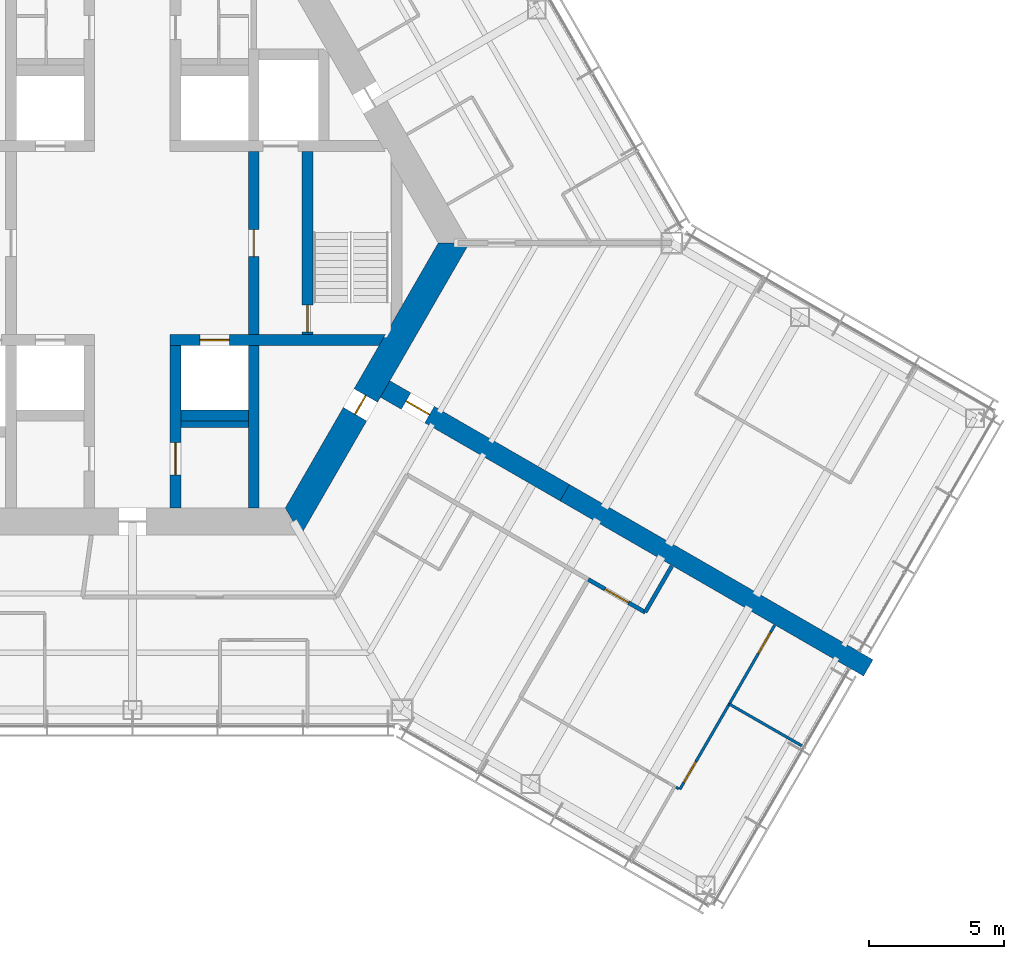
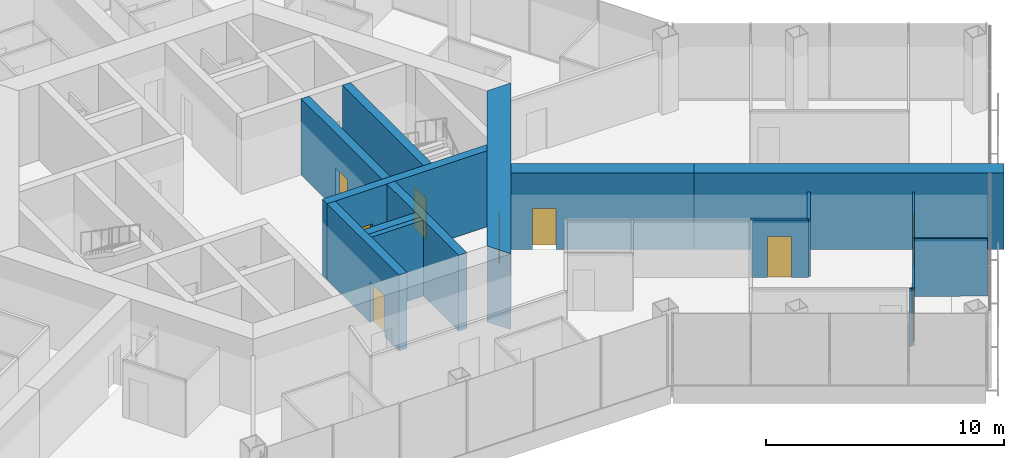
# One storey, part 14 of 19: 16 walls, 9 doors, 9 openings.
"""IFC4 building model written with IfcOpenShell, lengths in metres."""

from ifc_helpers import new_model, si_unit, direction, frame, frame_2d, origin, place, context, subcontext, project, spatial, polyline, rectangle, outline, extrude, material, layer, layer_set, type_object, element, fill, save


model = new_model("IFC4")

# Units and contexts
model_context = context("Model", 3, precision=1e-05, world=origin(), true_north=direction((0.0, 1.0)))
body_context = subcontext(model_context, "Body", "Model", "MODEL_VIEW")
ifc_project = project(units=[si_unit("LENGTHUNIT", "METRE"), si_unit("AREAUNIT", "SQUARE_METRE"), si_unit("VOLUMEUNIT", "CUBIC_METRE"), si_unit("PLANEANGLEUNIT", "RADIAN"), si_unit("MASSUNIT", "GRAM", prefix="KILO")], contexts=[model_context])

# Site, building, storey
site_placement = place(None, origin())
site = spatial("IfcSite", under=ifc_project, at=site_placement, CompositionType="ELEMENT")
building_placement = place(site_placement, origin())
building = spatial("IfcBuilding", under=site, at=building_placement, Name="Kasaneha Research Tower", CompositionType="ELEMENT")
storey_placement = place(building_placement, frame((0.0, 0.0, 160.39990234375)))
storey = spatial("IfcBuildingStorey", under=building, at=storey_placement, Name="L40", CompositionType="ELEMENT", Elevation=160.39990234375)

# Wall, opening, door
ifc_material_1 = material(Name="Concrete Fc70", Category="concrete")
ifc_layer_1 = layer(ifc_material_1, 0.39990234375)
ifc_layer_set_1 = layer_set([ifc_layer_1], Name="Core internal wall 400 Fc70")
wall_type_1 = type_object("IfcWallType", Name="Core internal wall 400 Fc70", PredefinedType="SHEAR", material=ifc_layer_set_1)
wall_1_placement = place(storey_placement, frame((1.39990234375, -3.60009765625, 0.0), z_axis=(0.0, 0.0, 1.0), x_axis=(1.0, 0.0, 0.0)))
wall_1 = element("IfcWall", 1, at=wall_1_placement, inside=storey, type_object=wall_type_1, Name="Core wall W2E L40", PredefinedType="SHEAR", context=body_context, shape_type="SweptSolid", body=[
    extrude(outline(polyline([(0.0, -0.199951171875), (1.10009765625, -0.199951171875), (2.2001953125, -0.199951171875), (7.7509765625, -0.199951171875), (7.98193359375, 0.199951171875), (2.2001953125, 0.199951171875), (1.10009765625, 0.199951171875), (0.0, 0.199951171875), (0.0, -0.199951171875)])), origin(), (0.0, 0.0, 1.0), 3.900146484375),
])
opening_1_placement = place(wall_1_placement, frame((1.10009765625, 0.0, 0.0)))
opening_1 = element("IfcOpeningElement", 2, at=opening_1_placement, cuts=wall_1, Name="Opening LD-LM2-L40", PredefinedType="OPENING", context=body_context, shape_type="SweptSolid", body=[
    extrude(rectangle(XDim=1.10009765625, YDim=2.10009765625, at=frame_2d((0.550048828125, 1.050048828125))), frame((0.0, 0.2099609375, 0.0), z_axis=(0.0, -1.0, 0.0), x_axis=(1.0, 0.0, 0.0)), (0.0, 0.0, 1.0), 0.419921875),
])
ifc_material_2 = material(Name="Steel", Category="steel")
door_type_1 = type_object("IfcDoorType", Name="Lift landing door 1100x2100", OperationType="DOUBLE_DOOR_SLIDING", PredefinedType="DOOR", material=ifc_material_2)
door_1_placement = place(opening_1_placement, origin())
door_1 = element("IfcDoor", 3, at=door_1_placement, inside=storey, type_object=door_type_1, Name="Landing door LM2 LD-LM2-L40", OperationType="DOUBLE_DOOR_SLIDING", OverallHeight=2.10009765625, OverallWidth=1.10009765625, PredefinedType="DOOR", context=body_context, shape_type="SweptSolid", body=[
    extrude(rectangle(XDim=1.10009765625, YDim=2.10009765625, at=frame_2d((0.550048828125, 1.050048828125))), frame((0.0, 0.02490234375, 0.0), z_axis=(0.0, -1.0, 0.0), x_axis=(1.0, 0.0, 0.0)), (0.0, 0.0, 1.0), 0.050048828125),
])
fill(opening_1, door_1)

wall_2_placement = place(storey_placement, frame((1.60009765625, -3.800048828125, 0.0), z_axis=(0.0, 0.0, 1.0), x_axis=(0.0, -1.0, 0.0)))
wall_2 = element("IfcWall", 4, at=wall_2_placement, inside=storey, type_object=wall_type_1, Name="Core wall CSE L40", PredefinedType="SHEAR", context=body_context, shape_type="SweptSolid", body=[
    extrude(rectangle(XDim=6.02490234375, YDim=0.39990234375, at=frame_2d((3.012451171875, 0.0))), origin(), (0.0, 0.0, 1.0), 3.900146484375),
])
opening_2_placement = place(wall_2_placement, frame((3.60009765625, 0.0, 0.0)))
opening_2 = element("IfcOpeningElement", 5, at=opening_2_placement, cuts=wall_2, Name="Opening L40-D15", PredefinedType="OPENING", context=body_context, shape_type="SweptSolid", body=[
    extrude(rectangle(XDim=1.199951171875, YDim=2.10009765625, at=frame_2d((0.60009765625, 1.050048828125))), frame((0.0, 0.2099609375, 0.0), z_axis=(0.0, -1.0, 0.0), x_axis=(1.0, 0.0, 0.0)), (0.0, 0.0, 1.0), 0.419921875),
])
ifc_material_3 = material(Name="Steel", Category="steel")
door_type_2 = type_object("IfcDoorType", Name="Accessible toilet sliding door FD20 1200x2100", OperationType="SLIDING_TO_LEFT", PredefinedType="DOOR", material=ifc_material_3)
door_2_placement = place(opening_2_placement, origin())
door_2 = element("IfcDoor", 6, at=door_2_placement, inside=storey, type_object=door_type_2, Name="Accessible WC door L40-D15", OperationType="SLIDING_TO_LEFT", OverallHeight=2.10009765625, OverallWidth=1.199951171875, PredefinedType="DOOR", context=body_context, shape_type="SweptSolid", body=[
    extrude(rectangle(XDim=1.199951171875, YDim=2.10009765625, at=frame_2d((0.60009765625, 1.050048828125))), frame((0.0, 0.02490234375, 0.0), z_axis=(0.0, -1.0, 0.0), x_axis=(1.0, 0.0, 0.0)), (0.0, 0.0, 1.0), 0.050048828125),
])
fill(opening_2, door_2)

wall_3_placement = place(storey_placement, frame((4.5, -3.39990234375, 0.0), z_axis=(0.0, 0.0, 1.0), x_axis=(0.0, 1.0, 0.0)))
wall_3 = element("IfcWall", 7, at=wall_3_placement, inside=storey, type_object=wall_type_1, Name="Core wall LBE L40", PredefinedType="SHEAR", context=body_context, shape_type="SweptSolid", body=[
    extrude(rectangle(XDim=6.7998046875, YDim=0.39990234375, at=frame_2d((3.39990234375, 0.0))), origin(), (0.0, 0.0, 1.0), 3.900146484375),
])
opening_3_placement = place(wall_3_placement, frame((2.89990234375, 0.0, 0.0)))
opening_3 = element("IfcOpeningElement", 8, at=opening_3_placement, cuts=wall_3, Name="Opening L40-D08", PredefinedType="OPENING", context=body_context, shape_type="SweptSolid", body=[
    extrude(rectangle(XDim=1.0, YDim=2.10009765625, at=frame_2d((0.5, 1.050048828125))), frame((0.0, 0.2099609375, 0.0), z_axis=(0.0, -1.0, 0.0), x_axis=(1.0, 0.0, 0.0)), (0.0, 0.0, 1.0), 0.419921875),
])
ifc_material_4 = material(Name="Steel", Category="steel")
door_type_3 = type_object("IfcDoorType", Name="Specified fire door FD60 1000x2100", OperationType="NOTDEFINED", PredefinedType="DOOR", material=ifc_material_4)
door_3_placement = place(opening_3_placement, origin())
door_3 = element("IfcDoor", 9, at=door_3_placement, inside=storey, type_object=door_type_3, Name="Lift lobby door east L40-D08", OperationType="SINGLE_SWING_LEFT", OverallHeight=2.10009765625, OverallWidth=1.0, PredefinedType="DOOR", context=body_context, shape_type="SweptSolid", body=[
    extrude(rectangle(XDim=1.0, YDim=2.10009765625, at=frame_2d((0.5, 1.050048828125))), frame((0.0, 0.02490234375, 0.0), z_axis=(0.0, -1.0, 0.0), x_axis=(1.0, 0.0, 0.0)), (0.0, 0.0, 1.0), 0.050048828125),
])
fill(opening_3, door_3)

wall_4_placement = place(storey_placement, frame((6.5, -3.39990234375, 0.0), z_axis=(0.0, 0.0, 1.0), x_axis=(0.0, 1.0, 0.0)))
wall_4 = element("IfcWall", 10, at=wall_4_placement, inside=storey, type_object=wall_type_1, Name="Core wall ANE L40", PredefinedType="SHEAR", context=body_context, shape_type="SweptSolid", body=[
    extrude(rectangle(XDim=6.7998046875, YDim=0.39990234375, at=frame_2d((3.39990234375, 0.0))), origin(), (0.0, 0.0, 1.0), 3.900146484375),
])
opening_4_placement = place(wall_4_placement, frame((0.10009765625, 0.0, 0.0)))
opening_4 = element("IfcOpeningElement", 11, at=opening_4_placement, cuts=wall_4, Name="Opening L40-D10", PredefinedType="OPENING", context=body_context, shape_type="SweptSolid", body=[
    extrude(rectangle(XDim=1.0, YDim=2.10009765625, at=frame_2d((0.5, 1.050048828125))), frame((0.0, 0.2099609375, 0.0), z_axis=(0.0, -1.0, 0.0), x_axis=(1.0, 0.0, 0.0)), (0.0, 0.0, 1.0), 0.419921875),
])
door_4_placement = place(opening_4_placement, origin())
door_4 = element("IfcDoor", 12, at=door_4_placement, inside=storey, type_object=door_type_3, Name="Stair 1 door L40-D10", OperationType="SINGLE_SWING_LEFT", OverallHeight=2.10009765625, OverallWidth=1.0, PredefinedType="DOOR", context=body_context, shape_type="SweptSolid", body=[
    extrude(rectangle(XDim=1.0, YDim=2.10009765625, at=frame_2d((0.5, 1.050048828125))), frame((0.0, 0.02490234375, 0.0), z_axis=(0.0, -1.0, 0.0), x_axis=(1.0, 0.0, 0.0)), (0.0, 0.0, 1.0), 0.050048828125),
])
fill(opening_4, door_4)

# Walls
wall_5_placement = place(storey_placement, frame((4.5, -3.800048828125, 0.0), z_axis=(0.0, 0.0, 1.0), x_axis=(0.0, -1.0, 0.0)))
element("IfcWall", 13, at=wall_5_placement, inside=storey, type_object=wall_type_1, Name="Core wall SSE L40", PredefinedType="SHEAR", context=body_context, shape_type="SweptSolid", body=[
    extrude(rectangle(XDim=6.02490234375, YDim=0.39990234375, at=frame_2d((3.012451171875, 0.0))), origin(), (0.0, 0.0, 1.0), 3.900146484375),
])
wall_6_placement = place(storey_placement, frame((1.800048828125, -6.39990234375, 0.0), z_axis=(0.0, 0.0, 1.0), x_axis=(1.0, 0.0, 0.0)))
element("IfcWall", 14, at=wall_6_placement, inside=storey, type_object=wall_type_1, Name="Core wall S3S L40", PredefinedType="SHEAR", context=body_context, shape_type="SweptSolid", body=[
    extrude(rectangle(XDim=2.5, YDim=0.39990234375, at=frame_2d((1.25, 0.0))), origin(), (0.0, 0.0, 1.0), 3.900146484375),
])

# Wall, opening, door
ifc_material_5 = material(Name="Concrete Fc70", Category="concrete")
ifc_layer_2 = layer(ifc_material_5, 1.0)
ifc_layer_set_2 = layer_set([ifc_layer_2], Name="Core wall 1000 Fc70")
wall_type_2 = type_object("IfcWallType", Name="Core wall 1000 Fc70", PredefinedType="SHEAR", material=ifc_layer_set_2)
wall_7_placement = place(storey_placement, frame((5.961181640625, -10.324951171875, 0.0), z_axis=(0.0, 0.0, 1.0), x_axis=(0.500004296715, 0.866022923061, 0.0)))
wall_7 = element("IfcWall", 15, at=wall_7_placement, inside=storey, type_object=wall_type_2, Name="Core wall 330 L40", PredefinedType="SHEAR", context=body_context, shape_type="SweptSolid", body=[
    extrude(outline(polyline([(-0.28857421875, -0.5), (4.593994140625, -0.5), (5.39404296875, -0.5), (12.2109375, -0.5), (11.6337890625, 0.5), (5.39404296875, 0.5), (4.593994140625, 0.5), (0.28857421875, 0.5), (-0.28857421875, -0.5)])), origin(), (0.0, 0.0, 1.0), 3.900146484375),
])
opening_5_placement = place(wall_7_placement, frame((4.593994140625, 0.0, 0.0)))
opening_5 = element("IfcOpeningElement", 16, at=opening_5_placement, cuts=wall_7, Name="Opening L40-D05", PredefinedType="OPENING", context=body_context, shape_type="SweptSolid", body=[
    extrude(rectangle(XDim=0.800048828125, YDim=2.10009765625, at=frame_2d((0.39990234375, 1.050048828125))), frame((0.0, 0.510009765625, 0.0), z_axis=(0.0, -1.0, 0.0), x_axis=(1.0, 0.0, 0.0)), (0.0, 0.0, 1.0), 1.02001953125),
])
ifc_material_6 = material(Name="Steel", Category="steel")
door_type_4 = type_object("IfcDoorType", Name="Riser access door FD60 800x2100", OperationType="NOTDEFINED", PredefinedType="DOOR", material=ifc_material_6)
door_5_placement = place(opening_5_placement, origin())
door_5 = element("IfcDoor", 17, at=door_5_placement, inside=storey, type_object=door_type_4, Name="Pipe riser door L40-D05", OperationType="SINGLE_SWING_LEFT", OverallHeight=2.10009765625, OverallWidth=0.800048828125, PredefinedType="DOOR", context=body_context, shape_type="SweptSolid", body=[
    extrude(rectangle(XDim=0.800048828125, YDim=2.10009765625, at=frame_2d((0.39990234375, 1.050048828125))), frame((0.0, 0.02490234375, 0.0), z_axis=(0.0, -1.0, 0.0), x_axis=(1.0, 0.0, 0.0)), (0.0, 0.0, 1.0), 0.050048828125),
])
fill(opening_5, door_5)

# Wall
ifc_material_7 = material(Name="Gypsum board on steel studs, one layer each side", Category="steel")
ifc_layer_3 = layer(ifc_material_7, 0.10009765625)
ifc_layer_set_3 = layer_set([ifc_layer_3], Name="Office partition 100")
wall_type_3 = type_object("IfcWallType", Name="Office partition 100", PredefinedType="PARTITIONING", material=ifc_layer_set_3)
wall_8_placement = place(storey_placement, frame((22.137451171875, -17.09765625, 0.0), z_axis=(0.0, 0.0, 1.0), x_axis=(0.866817104484, -0.498626220103, 0.0)))
element("IfcWall", 18, at=wall_8_placement, inside=storey, type_object=wall_type_3, Name="Office partition FCS14 L40", PredefinedType="PARTITIONING", context=body_context, shape_type="SweptSolid", body=[
    extrude(rectangle(XDim=3.105224609375, YDim=0.10009765625, at=frame_2d((1.552734375, 0.0))), origin(), (0.0, 0.0, 1.0), 2.9501953125),
])

# Wall, opening, door
wall_9_placement = place(storey_placement, frame((20.306396484375, -20.267578125, 0.0), z_axis=(0.0, 0.0, 1.0), x_axis=(0.501222652689, 0.865318353227, 0.0)))
wall_9 = element("IfcWall", 19, at=wall_9_placement, inside=storey, type_object=wall_type_3, Name="Office partition FCS15 L40", PredefinedType="PARTITIONING", context=body_context, shape_type="SweptSolid", body=[
    extrude(rectangle(XDim=3.665771484375, YDim=0.10009765625, at=frame_2d((1.8330078125, 0.0))), origin(), (0.0, 0.0, 1.0), 2.9501953125),
])
opening_6_placement = place(wall_9_placement, frame((0.300048828125, 0.0, 0.0)))
opening_6 = element("IfcOpeningElement", 20, at=opening_6_placement, cuts=wall_9, Name="Opening L40-D51", PredefinedType="OPENING", context=body_context, shape_type="SweptSolid", body=[
    extrude(rectangle(XDim=0.89990234375, YDim=2.10009765625, at=frame_2d((0.449951171875, 1.050048828125))), frame((0.0, 0.06005859375, 0.0), z_axis=(0.0, -1.0, 0.0), x_axis=(1.0, 0.0, 0.0)), (0.0, 0.0, 1.0), 0.1201171875),
])
ifc_material_8 = material(Name="Timber veneer", Category="wood")
door_type_5 = type_object("IfcDoorType", Name="Office door 900x2100", OperationType="SINGLE_SWING_LEFT", PredefinedType="DOOR", material=ifc_material_8)
door_6_placement = place(opening_6_placement, origin())
door_6 = element("IfcDoor", 21, at=door_6_placement, inside=storey, type_object=door_type_5, Name="Manager's office door L40-D51", OperationType="SINGLE_SWING_LEFT", OverallHeight=2.10009765625, OverallWidth=0.89990234375, PredefinedType="DOOR", context=body_context, shape_type="SweptSolid", body=[
    extrude(rectangle(XDim=0.89990234375, YDim=2.10009765625, at=frame_2d((0.449951171875, 1.050048828125))), frame((0.0, 0.02490234375, 0.0), z_axis=(0.0, -1.0, 0.0), x_axis=(1.0, 0.0, 0.0)), (0.0, 0.0, 1.0), 0.050048828125),
])
fill(opening_6, door_6)

wall_10_placement = place(storey_placement, frame((22.143798828125, -17.095458984375, 0.0), z_axis=(0.0, 0.0, 1.0), x_axis=(0.49891157834, 0.866652893031, 0.0)))
wall_10 = element("IfcWall", 22, at=wall_10_placement, inside=storey, type_object=wall_type_3, Name="Office partition FCS16 L40", PredefinedType="PARTITIONING", context=body_context, shape_type="SweptSolid", body=[
    extrude(rectangle(XDim=3.36328125, YDim=0.10009765625, at=frame_2d((1.681640625, 0.0))), origin(), (0.0, 0.0, 1.0), 2.9501953125),
])
opening_7_placement = place(wall_10_placement, frame((2.163330078125, 0.0, 0.0)))
opening_7 = element("IfcOpeningElement", 23, at=opening_7_placement, cuts=wall_10, Name="Opening L40-D52", PredefinedType="OPENING", context=body_context, shape_type="SweptSolid", body=[
    extrude(rectangle(XDim=0.89990234375, YDim=2.10009765625, at=frame_2d((0.449951171875, 1.050048828125))), frame((0.0, 0.06005859375, 0.0), z_axis=(0.0, -1.0, 0.0), x_axis=(1.0, 0.0, 0.0)), (0.0, 0.0, 1.0), 0.1201171875),
])
door_7_placement = place(opening_7_placement, origin())
door_7 = element("IfcDoor", 24, at=door_7_placement, inside=storey, type_object=door_type_5, Name="Manager's office door L40-D52", OperationType="SINGLE_SWING_RIGHT", OverallHeight=2.10009765625, OverallWidth=0.89990234375, PredefinedType="DOOR", context=body_context, shape_type="SweptSolid", body=[
    extrude(rectangle(XDim=0.89990234375, YDim=2.10009765625, at=frame_2d((0.449951171875, 1.050048828125))), frame((0.0, 0.02490234375, 0.0), z_axis=(0.0, -1.0, 0.0), x_axis=(1.0, 0.0, 0.0)), (0.0, 0.0, 1.0), 0.050048828125),
])
fill(opening_7, door_7)

# Wall
wall_11_placement = place(storey_placement, frame((20.262939453125, -20.24267578125, 0.0), z_axis=(0.0, 0.0, 1.0), x_axis=(-0.868768086692, 0.495219155068, 0.0)))
element("IfcWall", 25, at=wall_11_placement, inside=storey, type_object=wall_type_3, Name="Office partition closer PT5 L40", PredefinedType="PARTITIONING", context=body_context, shape_type="SweptSolid", body=[
    extrude(rectangle(XDim=0.1142578125, YDim=0.10009765625, at=frame_2d((0.05712890625, 0.0))), origin(), (0.0, 0.0, 1.0), 2.9501953125),
])

# Wall, opening, door
ifc_material_9 = material(Name="Concrete Fc70", Category="concrete")
ifc_layer_4 = layer(ifc_material_9, 0.699951171875)
ifc_layer_set_4 = layer_set([ifc_layer_4], Name="Spine wall 700 Fc70")
wall_type_4 = type_object("IfcWallType", Name="Spine wall 700 Fc70", PredefinedType="SHEAR", material=ifc_layer_set_4)
wall_12_placement = place(storey_placement, frame((9.374755859375, -5.41259765625, 0.0), z_axis=(0.0, 0.0, 1.0), x_axis=(0.866032377459, -0.499987921047, 0.0)))
wall_12 = element("IfcWall", 26, at=wall_12_placement, inside=storey, type_object=wall_type_4, Name="Spine wall C L40", PredefinedType="SHEAR", context=body_context, shape_type="SweptSolid", body=[
    extrude(rectangle(XDim=7.695556640625, YDim=0.699951171875, at=frame_2d((3.84765625, 0.0))), origin(), (0.0, 0.0, 1.0), 3.900146484375),
])
opening_8_placement = place(wall_12_placement, frame((0.89990234375, 0.0, 0.0)))
opening_8 = element("IfcOpeningElement", 27, at=opening_8_placement, cuts=wall_12, Name="Opening L40-D19", PredefinedType="OPENING", context=body_context, shape_type="SweptSolid", body=[
    extrude(rectangle(XDim=1.0, YDim=2.10009765625, at=frame_2d((0.5, 1.050048828125))), frame((0.0, 0.35986328125, 0.0), z_axis=(0.0, -1.0, 0.0), x_axis=(1.0, 0.0, 0.0)), (0.0, 0.0, 1.0), 0.719970703125),
])
door_8_placement = place(opening_8_placement, origin())
door_8 = element("IfcDoor", 28, at=door_8_placement, inside=storey, type_object=door_type_3, Name="Spine doorway C L40-D19", OperationType="SINGLE_SWING_LEFT", OverallHeight=2.10009765625, OverallWidth=1.0, PredefinedType="DOOR", context=body_context, shape_type="SweptSolid", body=[
    extrude(rectangle(XDim=1.0, YDim=2.10009765625, at=frame_2d((0.5, 1.050048828125))), frame((0.0, 0.02490234375, 0.0), z_axis=(0.0, -1.0, 0.0), x_axis=(1.0, 0.0, 0.0)), (0.0, 0.0, 1.0), 0.050048828125),
])
fill(opening_8, door_8)

# Wall
wall_13_placement = place(storey_placement, frame((16.039306640625, -9.26025390625, 0.0), z_axis=(0.0, 0.0, 1.0), x_axis=(0.866024837091, -0.50000098154, 0.0)))
element("IfcWall", 29, at=wall_13_placement, inside=storey, type_object=wall_type_4, Name="Spine wall C wing L40", PredefinedType="SHEAR", context=body_context, shape_type="SweptSolid", body=[
    extrude(rectangle(XDim=13.0, YDim=0.699951171875, at=frame_2d((6.5, 0.0))), origin(), (0.0, 0.0, 1.0), 3.900146484375),
])

# Wall, opening, door
ifc_material_10 = material(Name="Gypsum board on steel studs, two layers each side", Category="steel")
ifc_layer_5 = layer(ifc_material_10, 0.14990234375)
ifc_layer_set_5 = layer_set([ifc_layer_5], Name="Suite partition 150")
wall_type_5 = type_object("IfcWallType", Name="Suite partition 150", PredefinedType="PARTITIONING", material=ifc_layer_set_5)
wall_14_placement = place(storey_placement, frame((19.021240234375, -13.6953125, 0.0), z_axis=(0.0, 0.0, 1.0), x_axis=(-0.866068692046, 0.499925015036, 0.0)))
wall_14 = element("IfcWall", 30, at=wall_14_placement, inside=storey, type_object=wall_type_5, Name="Suite partition FCS07 L40", PredefinedType="PARTITIONING", context=body_context, shape_type="SweptSolid", body=[
    extrude(rectangle(XDim=2.434326171875, YDim=0.14990234375, at=frame_2d((1.21728515625, 0.0))), origin(), (0.0, 0.0, 1.0), 2.9501953125),
])
opening_9_placement = place(wall_14_placement, frame((0.71728515625, 0.0, 0.0)))
opening_9 = element("IfcOpeningElement", 31, at=opening_9_placement, cuts=wall_14, Name="Opening L40-D48", PredefinedType="OPENING", context=body_context, shape_type="SweptSolid", body=[
    extrude(rectangle(XDim=1.0, YDim=2.10009765625, at=frame_2d((0.5, 1.050048828125))), frame((0.0, 0.0849609375, 0.0), z_axis=(0.0, -1.0, 0.0), x_axis=(1.0, 0.0, 0.0)), (0.0, 0.0, 1.0), 0.169921875),
])
ifc_material_11 = material(Name="Steel", Category="steel")
door_type_6 = type_object("IfcDoorType", Name="Suite entrance door FD60 1000x2100", OperationType="NOTDEFINED", PredefinedType="DOOR", material=ifc_material_11)
door_9_placement = place(opening_9_placement, origin())
door_9 = element("IfcDoor", 32, at=door_9_placement, inside=storey, type_object=door_type_6, Name="Suite entrance door L40-D48", OperationType="SINGLE_SWING_LEFT", OverallHeight=2.10009765625, OverallWidth=1.0, PredefinedType="DOOR", context=body_context, shape_type="SweptSolid", body=[
    extrude(rectangle(XDim=1.0, YDim=2.10009765625, at=frame_2d((0.5, 1.050048828125))), frame((0.0, 0.02490234375, 0.0), z_axis=(0.0, -1.0, 0.0), x_axis=(1.0, 0.0, 0.0)), (0.0, 0.0, 1.0), 0.050048828125),
])
fill(opening_9, door_9)

# Walls
wall_15_placement = place(storey_placement, frame((20.01123046875, -11.980712890625, 0.0), z_axis=(0.0, 0.0, 1.0), x_axis=(-0.500024883228, -0.866011036969, 0.0)))
element("IfcWall", 33, at=wall_15_placement, inside=storey, type_object=wall_type_5, Name="Suite partition FCS08 L40", PredefinedType="PARTITIONING", context=body_context, shape_type="SweptSolid", body=[
    extrude(rectangle(XDim=1.97998046875, YDim=0.14990234375, at=frame_2d((0.989990234375, 0.0))), origin(), (0.0, 0.0, 1.0), 2.9501953125),
])
ifc_material_12 = material(Name="Concrete block lining", Category="concrete")
ifc_layer_6 = layer(ifc_material_12, 0.25)
ifc_layer_set_6 = layer_set([ifc_layer_6], Name="WC plumbing wall 250")
wall_type_6 = type_object("IfcWallType", Name="WC plumbing wall 250", PredefinedType="PLUMBINGWALL", material=ifc_layer_set_6)
wall_16_placement = place(storey_placement, frame((1.800048828125, -6.72509765625, 0.0), z_axis=(0.0, 0.0, 1.0), x_axis=(1.0, 0.0, 0.0)))
element("IfcWall", 34, at=wall_16_placement, inside=storey, type_object=wall_type_6, Name="WC plumbing wall A L40", PredefinedType="PLUMBINGWALL", context=body_context, shape_type="SweptSolid", body=[
    extrude(rectangle(XDim=2.5, YDim=0.25, at=frame_2d((1.25, 0.0))), origin(), (0.0, 0.0, 1.0), 3.900146484375),
])

save(model, "model.ifc")
